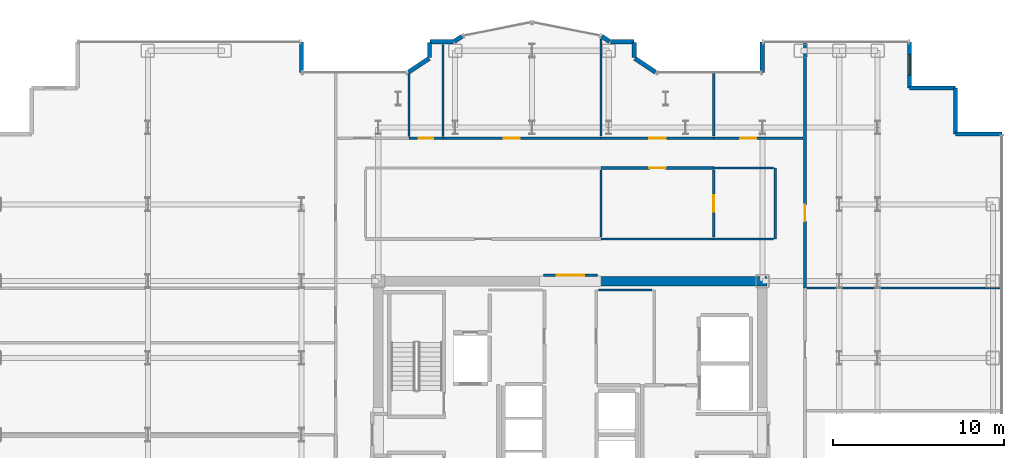
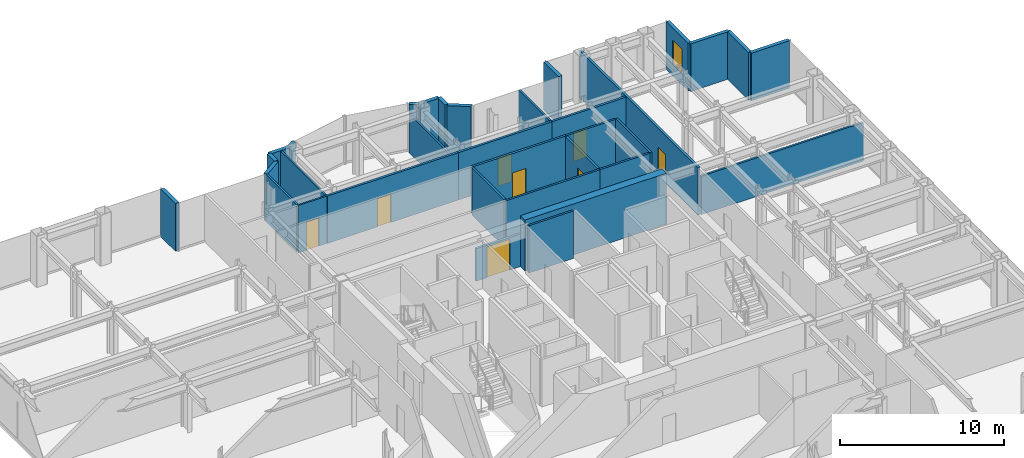
# One storey, part 21 of 23: 34 walls, 8 doors, 1 window, 9 openings.
"""IFC4 building model written with IfcOpenShell, lengths in metres."""

from ifc_helpers import new_model, si_unit, direction, frame, frame_2d, origin, place, context, subcontext, project, spatial, rectangle, extrude, source, transform, mapped, material, layer, layer_set, type_object, element, fill, save


model = new_model("IFC4")

# Units and contexts
model_context = context("Model", 3, precision=1e-05, world=origin(), true_north=direction((0.0, 1.0)))
body_context = subcontext(model_context, "Body", "Model", "MODEL_VIEW")
ifc_project = project(units=[si_unit("LENGTHUNIT", "METRE"), si_unit("AREAUNIT", "SQUARE_METRE"), si_unit("VOLUMEUNIT", "CUBIC_METRE"), si_unit("PLANEANGLEUNIT", "RADIAN"), si_unit("MASSUNIT", "GRAM", prefix="KILO")], contexts=[model_context])

# Site, building, storey
site_placement = place(None, origin())
site = spatial("IfcSite", under=ifc_project, at=site_placement, CompositionType="ELEMENT")
building_placement = place(site_placement, origin())
building = spatial("IfcBuilding", under=site, at=building_placement, Name="Nefas-Gora Pilgrimage Tower", CompositionType="ELEMENT")
storey_placement = place(building_placement, frame((0.0, 0.0, 190.60009765625)))
storey = spatial("IfcBuildingStorey", under=building, at=storey_placement, Name="L47", CompositionType="ELEMENT", Elevation=190.60009765625)

# Walls
ifc_material_1 = material(Name="Concrete C60/75", Category="concrete")
ifc_layer_1 = layer(ifc_material_1, 0.550048828125)
ifc_layer_set_1 = layer_set([ifc_layer_1], Name="Concrete C60/75")
wall_type_1 = type_object("IfcWallType", Name="SW-CORE-550", PredefinedType="SHEAR", material=ifc_layer_set_1)
shared_shape_1 = source(origin(), body_context, "Body", "SweptSolid", [
    extrude(rectangle(XDim=9.974853515625, YDim=0.550048828125, at=frame_2d((4.9873046875, 0.0))), origin(), (0.0, 0.0, 1.0), 3.7998046875),
])
wall_1_placement = place(storey_placement, frame((1.550048828125, 9.0, 0.0), z_axis=(0.0, 0.0, 1.0), x_axis=(1.0, 0.0, 0.0)))
element("IfcWall", 1, at=wall_1_placement, inside=storey, type_object=wall_type_1, Name="L47 Core Shear Wall N-East", PredefinedType="SHEAR", context=body_context, shape_type="MappedRepresentation", body=[
    mapped(shared_shape_1, transform((0.0, 0.0, 0.0), x_axis=(1.0, 0.0, 0.0), y_axis=(0.0, 1.0, 0.0), z_axis=(0.0, 0.0, 1.0), scale=1.0)),
])
ifc_material_2 = material(Name="Precast concrete C40/50", Category="concrete")
ifc_layer_2 = layer(ifc_material_2, 0.260009765625)
ifc_layer_set_2 = layer_set([ifc_layer_2], Name="Precast concrete C40/50")
wall_type_2 = type_object("IfcWallType", Name="EW-PORTAL-260", PredefinedType="SOLIDWALL", material=ifc_layer_set_2)
shared_shape_2 = source(origin(), body_context, "Body", "SweptSolid", [
    extrude(rectangle(XDim=1.800048828125, YDim=0.260009765625, at=frame_2d((0.89990234375, 0.0))), origin(), (0.0, 0.0, 1.0), 3.5498046875),
])
for number, where, z_axis, x_axis, name in (
    (2, (11.25, 23.02001953125, 0.0), (0.0, 0.0, 1.0), (0.0, -1.0, 0.0), "L47 Lobe Shoulder Precast Spandrel Pier 10"),
    (3, (-15.75, 21.219970703125, 0.0), (0.0, 0.0, 1.0), (0.0, 1.0, 0.0), "L47 Lobe Shoulder Precast Spandrel Pier 19"),
):
    element("IfcWall", number, at=place(storey_placement, frame(where, z_axis=z_axis, x_axis=x_axis)), inside=storey, type_object=wall_type_2, Name=name, PredefinedType="SOLIDWALL", context=body_context, shape_type="MappedRepresentation", body=[
        mapped(shared_shape_2, transform((0.0, 0.0, 0.0), x_axis=(1.0, 0.0, 0.0), y_axis=(0.0, 1.0, 0.0), z_axis=(0.0, 0.0, 1.0), scale=1.0)),
    ])
ifc_material_3 = material(Name="Precast concrete C45/55", Category="concrete")
ifc_layer_3 = layer(ifc_material_3, 0.239990234375)
ifc_layer_set_3 = layer_set([ifc_layer_3], Name="Precast concrete C45/55")
wall_type_3 = type_object("IfcWallType", Name="EW-SERR-240", PredefinedType="SHEAR", material=ifc_layer_set_3)
shared_shape_3 = source(origin(), body_context, "Body", "SweptSolid", [
    extrude(rectangle(XDim=2.699951171875, YDim=0.239990234375, at=frame_2d((1.35009765625, 0.0))), origin(), (0.0, 0.0, 1.0), 3.5498046875),
])
for number, where, z_axis, x_axis, name in (
    (4, (25.27001953125, 17.6201171875, 0.0), (0.0, 0.0, 1.0), (-1.0, 0.0, 0.0), "L47 Serrated Corner Shear Pier Wall 6"),
    (5, (22.570068359375, 17.6201171875, 0.0), (0.0, 0.0, 1.0), (0.0, 1.0, 0.0), "L47 Serrated Corner Shear Pier Wall 7"),
    (6, (22.570068359375, 20.320068359375, 0.0), (0.0, 0.0, 1.0), (-1.0, 0.0, 0.0), "L47 Serrated Corner Shear Pier Wall 8"),
):
    element("IfcWall", number, at=place(storey_placement, frame(where, z_axis=z_axis, x_axis=x_axis)), inside=storey, type_object=wall_type_3, Name=name, PredefinedType="SHEAR", context=body_context, shape_type="MappedRepresentation", body=[
        mapped(shared_shape_3, transform((0.0, 0.0, 0.0), x_axis=(1.0, 0.0, 0.0), y_axis=(0.0, 1.0, 0.0), z_axis=(0.0, 0.0, 1.0), scale=1.0)),
    ])

# Wall, opening, window
wall_2_placement = place(storey_placement, frame((19.8701171875, 20.320068359375, 0.0), z_axis=(0.0, 0.0, 1.0), x_axis=(0.0, 1.0, 0.0)))
wall_2 = element("IfcWall", 7, at=wall_2_placement, inside=storey, type_object=wall_type_3, Name="L47 Serrated Corner Shear Pier Wall 9", PredefinedType="SHEAR", context=body_context, shape_type="MappedRepresentation", body=[
    mapped(shared_shape_3, transform((0.0, 0.0, 0.0), x_axis=(1.0, 0.0, 0.0), y_axis=(0.0, 1.0, 0.0), z_axis=(0.0, 0.0, 1.0), scale=1.0)),
])
opening_1_placement = place(wall_2_placement, frame((0.75, 0.0, 0.85009765625)))
opening_1 = element("IfcOpeningElement", 8, at=opening_1_placement, cuts=wall_2, Name="Opening W-V1", PredefinedType="OPENING", context=body_context, shape_type="SweptSolid", body=[
    extrude(rectangle(XDim=1.199951171875, YDim=1.800048828125, at=frame_2d((0.60009765625, 0.89990234375))), frame((0.0, 0.1298828125, 0.0), z_axis=(0.0, -1.0, 0.0), x_axis=(1.0, 0.0, 0.0)), (0.0, 0.0, 1.0), 0.260009765625),
])
ifc_material_4 = material(Name="Dark ceramic-fritted operable aluminium-glass window", Category="aluminium")
window_type = type_object("IfcWindowType", Name="WIN-VENT-1200x1800", PartitioningType="SINGLE_PANEL", PredefinedType="WINDOW", material=ifc_material_4)
shared_shape_4 = source(origin(), body_context, "Body", "SweptSolid", [
    extrude(rectangle(XDim=1.199951171875, YDim=1.800048828125, at=frame_2d((0.60009765625, 0.89990234375))), frame((0.0, 0.030029296875, 0.0), z_axis=(0.0, -1.0, 0.0), x_axis=(1.0, 0.0, 0.0)), (0.0, 0.0, 1.0), 0.06005859375),
])
window_placement = place(opening_1_placement, origin())
window = element("IfcWindow", 9, at=window_placement, inside=storey, type_object=window_type, Name="L47 Operable Parallel-Outswing Window 9", OverallHeight=1.800048828125, OverallWidth=1.199951171875, PartitioningType="SINGLE_PANEL", PredefinedType="WINDOW", context=body_context, shape_type="MappedRepresentation", body=[
    mapped(shared_shape_4, transform((0.0, 0.0, 0.0), x_axis=(1.0, 0.0, 0.0), y_axis=(0.0, 1.0, 0.0), z_axis=(0.0, 0.0, 1.0), scale=1.0)),
])
fill(opening_1, window)

# Walls
shared_shape_5 = source(origin(), body_context, "Body", "SweptSolid", [
    extrude(rectangle(XDim=1.468994140625, YDim=0.260009765625, at=frame_2d((0.734375, 0.0))), origin(), (0.0, 0.0, 1.0), 3.5498046875),
])
for number, where, z_axis, x_axis, name in (
    (10, (4.99462890625, 21.235595703125, 0.0), (0.0, 0.0, 1.0), (-0.831461760506, 0.555581983884, 0.0), "L47 Lobe Shoulder Precast Spandrel Pier 11"),
    (11, (-8.273193359375, 22.0517578125, 0.0), (0.0, 0.0, 1.0), (-0.831461760506, -0.555581983884, 0.0), "L47 Lobe Shoulder Precast Spandrel Pier 18"),
):
    element("IfcWall", number, at=place(storey_placement, frame(where, z_axis=z_axis, x_axis=x_axis)), inside=storey, type_object=wall_type_2, Name=name, PredefinedType="SOLIDWALL", context=body_context, shape_type="MappedRepresentation", body=[
        mapped(shared_shape_5, transform((0.0, 0.0, 0.0), x_axis=(1.0, 0.0, 0.0), y_axis=(0.0, 1.0, 0.0), z_axis=(0.0, 0.0, 1.0), scale=1.0)),
    ])
shared_shape_6 = source(origin(), body_context, "Body", "SweptSolid", [
    extrude(rectangle(XDim=0.896728515625, YDim=0.260009765625, at=frame_2d((0.4482421875, 0.0))), origin(), (0.0, 0.0, 1.0), 3.5498046875),
])
for number, where, z_axis, x_axis, name in (
    (12, (3.75, 22.09521484375, 0.0), (0.0, 0.0, 1.0), (0.0, 1.0, 0.0), "L47 Lobe Shoulder Precast Spandrel Pier 12"),
    (13, (-8.25, 22.991943359375, 0.0), (0.0, 0.0, 1.0), (0.0, -1.0, 0.0), "L47 Lobe Shoulder Precast Spandrel Pier 17"),
):
    element("IfcWall", number, at=place(storey_placement, frame(where, z_axis=z_axis, x_axis=x_axis)), inside=storey, type_object=wall_type_2, Name=name, PredefinedType="SOLIDWALL", context=body_context, shape_type="MappedRepresentation", body=[
        mapped(shared_shape_6, transform((0.0, 0.0, 0.0), x_axis=(1.0, 0.0, 0.0), y_axis=(0.0, 1.0, 0.0), z_axis=(0.0, 0.0, 1.0), scale=1.0)),
    ])
shared_shape_7 = source(origin(), body_context, "Body", "SweptSolid", [
    extrude(rectangle(XDim=1.369873046875, YDim=0.260009765625, at=frame_2d((0.68505859375, 0.0))), origin(), (0.0, 0.0, 1.0), 3.5498046875),
])
for number, where, z_axis, x_axis, name in (
    (14, (3.721923828125, 23.02001953125, 0.0), (0.0, 0.0, 1.0), (-1.0, 0.0, 0.0), "L47 Lobe Shoulder Precast Spandrel Pier 13"),
    (15, (-6.85205078125, 23.02001953125, 0.0), (0.0, 0.0, 1.0), (-1.0, 0.0, 0.0), "L47 Lobe Shoulder Precast Spandrel Pier 16"),
):
    element("IfcWall", number, at=place(storey_placement, frame(where, z_axis=z_axis, x_axis=x_axis)), inside=storey, type_object=wall_type_2, Name=name, PredefinedType="SOLIDWALL", context=body_context, shape_type="MappedRepresentation", body=[
        mapped(shared_shape_7, transform((0.0, 0.0, 0.0), x_axis=(1.0, 0.0, 0.0), y_axis=(0.0, 1.0, 0.0), z_axis=(0.0, 0.0, 1.0), scale=1.0)),
    ])
shared_shape_8 = source(origin(), body_context, "Body", "SweptSolid", [
    extrude(rectangle(XDim=0.5654296875, YDim=0.260009765625, at=frame_2d((0.28271484375, 0.0))), origin(), (0.0, 0.0, 1.0), 3.5498046875),
])
for number, where, z_axis, x_axis, name in (
    (16, (2.30078125, 23.03564453125, 0.0), (0.0, 0.0, 1.0), (-0.831651492666, 0.555297933317, 0.0), "L47 Lobe Shoulder Precast Spandrel Pier 14"),
    (17, (-6.33056640625, 23.349609375, 0.0), (0.0, 0.0, 1.0), (-0.831651492666, -0.555297933317, 0.0), "L47 Lobe Shoulder Precast Spandrel Pier 15"),
):
    element("IfcWall", number, at=place(storey_placement, frame(where, z_axis=z_axis, x_axis=x_axis)), inside=storey, type_object=wall_type_2, Name=name, PredefinedType="SOLIDWALL", context=body_context, shape_type="MappedRepresentation", body=[
        mapped(shared_shape_8, transform((0.0, 0.0, 0.0), x_axis=(1.0, 0.0, 0.0), y_axis=(0.0, 1.0, 0.0), z_axis=(0.0, 0.0, 1.0), scale=1.0)),
    ])

# Wall, opening, door
ifc_material_5 = material(Name="Moisture-resistant fire-rated gypsum partition")
ifc_layer_4 = layer(ifc_material_5, 0.1201171875)
ifc_layer_set_4 = layer_set([ifc_layer_4], Name="Moisture-resistant fire-rated gypsum partition")
wall_type_4 = type_object("IfcWallType", Name="IW-WET-120", PredefinedType="PLUMBINGWALL", material=ifc_layer_set_4)
shared_shape_9 = source(origin(), body_context, "Body", "SweptSolid", [
    extrude(rectangle(XDim=2.02001953125, YDim=0.1201171875, at=frame_2d((1.010009765625, 0.0))), origin(), (0.0, 0.0, 1.0), 3.534912109375),
])
wall_3_placement = place(storey_placement, frame((-9.4599609375, 17.3701171875, 0.0), z_axis=(0.0, 0.0, 1.0), x_axis=(1.0, 0.0, 0.0)))
wall_3 = element("IfcWall", 18, at=wall_3_placement, inside=storey, type_object=wall_type_4, Name="L47 Accessible Unisex WC Partition Wall 25", PredefinedType="PLUMBINGWALL", context=body_context, shape_type="MappedRepresentation", body=[
    mapped(shared_shape_9, transform((0.0, 0.0, 0.0), x_axis=(1.0, 0.0, 0.0), y_axis=(0.0, 1.0, 0.0), z_axis=(0.0, 0.0, 1.0), scale=1.0)),
])
opening_2_placement = place(wall_3_placement, frame((0.5849609375, 0.0, 0.0)))
opening_2 = element("IfcOpeningElement", 19, at=opening_2_placement, cuts=wall_3, Name="Opening ID-BT1", PredefinedType="OPENING", context=body_context, shape_type="SweptSolid", body=[
    extrude(rectangle(XDim=0.85009765625, YDim=2.10009765625, at=frame_2d((0.425048828125, 1.050048828125))), frame((0.0, 0.070068359375, 0.0), z_axis=(0.0, -1.0, 0.0), x_axis=(1.0, 0.0, 0.0)), (0.0, 0.0, 1.0), 0.14013671875),
])
ifc_material_6 = material(Name="Moisture-resistant fire-rated timber door", Category="wood")
door_type_1 = type_object("IfcDoorType", Name="DR-INT-BATH-850", OperationType="NOTDEFINED", PredefinedType="DOOR", material=ifc_material_6)
shared_shape_10 = source(origin(), body_context, "Body", "SweptSolid", [
    extrude(rectangle(XDim=0.85009765625, YDim=2.10009765625, at=frame_2d((0.425048828125, 1.050048828125))), frame((0.0, 0.02490234375, 0.0), z_axis=(0.0, -1.0, 0.0), x_axis=(1.0, 0.0, 0.0)), (0.0, 0.0, 1.0), 0.050048828125),
])
door_1_placement = place(opening_2_placement, origin())
door_1 = element("IfcDoor", 20, at=door_1_placement, inside=storey, type_object=door_type_1, Name="L47 Accessible Unisex WC Door 10", OperationType="SINGLE_SWING_LEFT", OverallHeight=2.10009765625, OverallWidth=0.85009765625, PredefinedType="DOOR", context=body_context, shape_type="MappedRepresentation", body=[
    mapped(shared_shape_10, transform((0.0, 0.0, 0.0), x_axis=(1.0, 0.0, 0.0), y_axis=(0.0, 1.0, 0.0), z_axis=(0.0, 0.0, 1.0), scale=1.0)),
])
fill(opening_2, door_1)

ifc_material_7 = material(Name="Gypsum acoustic stud partition")
ifc_layer_5 = layer(ifc_material_7, 0.159912109375)
ifc_layer_set_5 = layer_set([ifc_layer_5], Name="Gypsum acoustic stud partition")
wall_type_5 = type_object("IfcWallType", Name="IW-CORR-160", PredefinedType="PARTITIONING", material=ifc_layer_set_5)
shared_shape_11 = source(origin(), body_context, "Body", "SweptSolid", [
    extrude(rectangle(XDim=5.22509765625, YDim=0.159912109375, at=frame_2d((2.612548828125, 0.0))), origin(), (0.0, 0.0, 1.0), 3.534912109375),
])
wall_4_placement = place(storey_placement, frame((8.39501953125, 17.3701171875, 0.0), z_axis=(0.0, 0.0, 1.0), x_axis=(1.0, 0.0, 0.0)))
wall_4 = element("IfcWall", 21, at=wall_4_placement, inside=storey, type_object=wall_type_5, Name="L47 Pilgrim Contemplative Lounge Partition Wall 60", PredefinedType="PARTITIONING", context=body_context, shape_type="MappedRepresentation", body=[
    mapped(shared_shape_11, transform((0.0, 0.0, 0.0), x_axis=(1.0, 0.0, 0.0), y_axis=(0.0, 1.0, 0.0), z_axis=(0.0, 0.0, 1.0), scale=1.0)),
])
opening_3_placement = place(wall_4_placement, frame((1.543212890625, 0.0, 0.0)))
opening_3 = element("IfcOpeningElement", 22, at=opening_3_placement, cuts=wall_4, Name="Opening ID-GR1", PredefinedType="OPENING", context=body_context, shape_type="SweptSolid", body=[
    extrude(rectangle(XDim=0.949951171875, YDim=2.10009765625, at=frame_2d((0.47509765625, 1.050048828125))), frame((0.0, 0.08984375, 0.0), z_axis=(0.0, -1.0, 0.0), x_axis=(1.0, 0.0, 0.0)), (0.0, 0.0, 1.0), 0.179931640625),
])
ifc_material_8 = material(Name="Solid core oak fire-rated guest entrance door")
door_type_2 = type_object("IfcDoorType", Name="DR-INT-GUEST-950", OperationType="NOTDEFINED", PredefinedType="DOOR", material=ifc_material_8)
shared_shape_12 = source(origin(), body_context, "Body", "SweptSolid", [
    extrude(rectangle(XDim=0.949951171875, YDim=2.10009765625, at=frame_2d((0.47509765625, 1.050048828125))), frame((0.0, 0.02490234375, 0.0), z_axis=(0.0, -1.0, 0.0), x_axis=(1.0, 0.0, 0.0)), (0.0, 0.0, 1.0), 0.050048828125),
])
door_2_placement = place(opening_3_placement, origin())
door_2 = element("IfcDoor", 23, at=door_2_placement, inside=storey, type_object=door_type_2, Name="L47 Pilgrim Contemplative Lounge Door 28", OperationType="SINGLE_SWING_LEFT", OverallHeight=2.10009765625, OverallWidth=0.949951171875, PredefinedType="DOOR", context=body_context, shape_type="MappedRepresentation", body=[
    mapped(shared_shape_12, transform((0.0, 0.0, 0.0), x_axis=(1.0, 0.0, 0.0), y_axis=(0.0, 1.0, 0.0), z_axis=(0.0, 0.0, 1.0), scale=1.0)),
])
fill(opening_3, door_2)

# Wall
ifc_material_9 = material(Name="Gypsum twin-stud partition")
ifc_layer_6 = layer(ifc_material_9, 0.139892578125)
ifc_layer_set_6 = layer_set([ifc_layer_6], Name="Gypsum twin-stud partition")
wall_type_6 = type_object("IfcWallType", Name="IW-UNIT-140", PredefinedType="PARTITIONING", material=ifc_layer_set_6)
shared_shape_13 = source(origin(), body_context, "Body", "SweptSolid", [
    extrude(rectangle(XDim=3.150146484375, YDim=0.139892578125, at=frame_2d((1.5751953125, 0.0))), origin(), (0.0, 0.0, 1.0), 3.534912109375),
])
wall_5_placement = place(storey_placement, frame((1.639892578125, 8.47998046875, 0.0), z_axis=(0.0, 0.0, 1.0), x_axis=(1.0, 0.0, 0.0)))
element("IfcWall", 24, at=wall_5_placement, inside=storey, type_object=wall_type_6, Name="L47 Freed Bank-1 Amenity Supply Store Partition Wall 24", PredefinedType="PARTITIONING", context=body_context, shape_type="MappedRepresentation", body=[
    mapped(shared_shape_13, transform((0.0, 0.0, 0.0), x_axis=(1.0, 0.0, 0.0), y_axis=(0.0, 1.0, 0.0), z_axis=(0.0, 0.0, 1.0), scale=1.0)),
])

# Wall, opening, door
shared_shape_14 = source(origin(), body_context, "Body", "SweptSolid", [
    extrude(rectangle(XDim=14.45263671875, YDim=0.159912109375, at=frame_2d((7.226318359375, 0.0))), origin(), (0.0, 0.0, 1.0), 3.534912109375),
])
wall_6_placement = place(storey_placement, frame((13.739990234375, 8.58740234375, 0.0), z_axis=(0.0, 0.0, 1.0), x_axis=(0.0, 1.0, 0.0)))
wall_6 = element("IfcWall", 25, at=wall_6_placement, inside=storey, type_object=wall_type_5, Name="L47 Pilgrim Contemplative Lounge Partition Wall 43", PredefinedType="PARTITIONING", context=body_context, shape_type="MappedRepresentation", body=[
    mapped(shared_shape_14, transform((0.0, 0.0, 0.0), x_axis=(1.0, 0.0, 0.0), y_axis=(0.0, 1.0, 0.0), z_axis=(0.0, 0.0, 1.0), scale=1.0)),
])
opening_4_placement = place(wall_6_placement, frame((3.936279296875, 0.0, 0.0)))
opening_4 = element("IfcOpeningElement", 26, at=opening_4_placement, cuts=wall_6, Name="Opening ID-GR1", PredefinedType="OPENING", context=body_context, shape_type="SweptSolid", body=[
    extrude(rectangle(XDim=0.949951171875, YDim=2.10009765625, at=frame_2d((0.47509765625, 1.050048828125))), frame((0.0, 0.08984375, 0.0), z_axis=(0.0, -1.0, 0.0), x_axis=(1.0, 0.0, 0.0)), (0.0, 0.0, 1.0), 0.179931640625),
])
door_3_placement = place(opening_4_placement, origin())
door_3 = element("IfcDoor", 27, at=door_3_placement, inside=storey, type_object=door_type_2, Name="L47 Pilgrim Contemplative Lounge Door 19", OperationType="SINGLE_SWING_RIGHT", OverallHeight=2.10009765625, OverallWidth=0.949951171875, PredefinedType="DOOR", context=body_context, shape_type="MappedRepresentation", body=[
    mapped(shared_shape_12, transform((0.0, 0.0, 0.0), x_axis=(1.0, 0.0, 0.0), y_axis=(0.0, 1.0, 0.0), z_axis=(0.0, 0.0, 1.0), scale=1.0)),
])
fill(opening_4, door_3)

shared_shape_15 = source(origin(), body_context, "Body", "SweptSolid", [
    extrude(rectangle(XDim=6.610107421875, YDim=0.159912109375, at=frame_2d((3.30517578125, 0.0))), origin(), (0.0, 0.0, 1.0), 3.534912109375),
])
wall_7_placement = place(storey_placement, frame((1.794921875, 17.3701171875, 0.0), z_axis=(0.0, 0.0, 1.0), x_axis=(1.0, 0.0, 0.0)))
wall_7 = element("IfcWall", 28, at=wall_7_placement, inside=storey, type_object=wall_type_5, Name="L47 Pilgrim Contemplative Lounge Partition Wall 55", PredefinedType="PARTITIONING", context=body_context, shape_type="MappedRepresentation", body=[
    mapped(shared_shape_15, transform((0.0, 0.0, 0.0), x_axis=(1.0, 0.0, 0.0), y_axis=(0.0, 1.0, 0.0), z_axis=(0.0, 0.0, 1.0), scale=1.0)),
])
opening_5_placement = place(wall_7_placement, frame((2.830078125, 0.0, 0.0)))
opening_5 = element("IfcOpeningElement", 29, at=opening_5_placement, cuts=wall_7, Name="Opening ID-GR1", PredefinedType="OPENING", context=body_context, shape_type="SweptSolid", body=[
    extrude(rectangle(XDim=0.949951171875, YDim=2.10009765625, at=frame_2d((0.47509765625, 1.050048828125))), frame((0.0, 0.08984375, 0.0), z_axis=(0.0, -1.0, 0.0), x_axis=(1.0, 0.0, 0.0)), (0.0, 0.0, 1.0), 0.179931640625),
])
door_4_placement = place(opening_5_placement, origin())
door_4 = element("IfcDoor", 30, at=door_4_placement, inside=storey, type_object=door_type_2, Name="L47 Pilgrim Contemplative Lounge Door 25", OperationType="SINGLE_SWING_RIGHT", OverallHeight=2.10009765625, OverallWidth=0.949951171875, PredefinedType="DOOR", context=body_context, shape_type="MappedRepresentation", body=[
    mapped(shared_shape_12, transform((0.0, 0.0, 0.0), x_axis=(1.0, 0.0, 0.0), y_axis=(0.0, 1.0, 0.0), z_axis=(0.0, 0.0, 1.0), scale=1.0)),
])
fill(opening_5, door_4)

wall_8_placement = place(storey_placement, frame((1.794921875, 15.6298828125, 0.0), z_axis=(0.0, 0.0, 1.0), x_axis=(1.0, 0.0, 0.0)))
wall_8 = element("IfcWall", 31, at=wall_8_placement, inside=storey, type_object=wall_type_5, Name="L47 Pastoral Chaplains Counselling Office Partition Wall 57", PredefinedType="PARTITIONING", context=body_context, shape_type="MappedRepresentation", body=[
    mapped(shared_shape_15, transform((0.0, 0.0, 0.0), x_axis=(1.0, 0.0, 0.0), y_axis=(0.0, 1.0, 0.0), z_axis=(0.0, 0.0, 1.0), scale=1.0)),
])
opening_6_placement = place(wall_8_placement, frame((2.830078125, 0.0, 0.0)))
opening_6 = element("IfcOpeningElement", 32, at=opening_6_placement, cuts=wall_8, Name="Opening ID-GR1", PredefinedType="OPENING", context=body_context, shape_type="SweptSolid", body=[
    extrude(rectangle(XDim=0.949951171875, YDim=2.10009765625, at=frame_2d((0.47509765625, 1.050048828125))), frame((0.0, 0.08984375, 0.0), z_axis=(0.0, -1.0, 0.0), x_axis=(1.0, 0.0, 0.0)), (0.0, 0.0, 1.0), 0.179931640625),
])
door_5_placement = place(opening_6_placement, origin())
door_5 = element("IfcDoor", 33, at=door_5_placement, inside=storey, type_object=door_type_2, Name="L47 Pastoral Chaplains Counselling Office Door 26", OperationType="SINGLE_SWING_LEFT", OverallHeight=2.10009765625, OverallWidth=0.949951171875, PredefinedType="DOOR", context=body_context, shape_type="MappedRepresentation", body=[
    mapped(shared_shape_12, transform((0.0, 0.0, 0.0), x_axis=(1.0, 0.0, 0.0), y_axis=(0.0, 1.0, 0.0), z_axis=(0.0, 0.0, 1.0), scale=1.0)),
])
fill(opening_6, door_5)

shared_shape_16 = source(origin(), body_context, "Body", "SweptSolid", [
    extrude(rectangle(XDim=3.16015625, YDim=0.159912109375, at=frame_2d((1.580078125, 0.0))), origin(), (0.0, 0.0, 1.0), 2.4248046875),
])
wall_9_placement = place(storey_placement, frame((-1.580078125, 9.35009765625, 0.0), z_axis=(0.0, 0.0, 1.0), x_axis=(1.0, 0.0, 0.0)))
wall_9 = element("IfcWall", 34, at=wall_9_placement, inside=storey, type_object=wall_type_5, Name="L47 Central Lift Lobby North Portal Wall 15", PredefinedType="PARTITIONING", context=body_context, shape_type="MappedRepresentation", body=[
    mapped(shared_shape_16, transform((0.0, 0.0, 0.0), x_axis=(1.0, 0.0, 0.0), y_axis=(0.0, 1.0, 0.0), z_axis=(0.0, 0.0, 1.0), scale=1.0)),
])
opening_7_placement = place(wall_9_placement, frame((0.780029296875, 0.0, 0.0)))
opening_7 = element("IfcOpeningElement", 35, at=opening_7_placement, cuts=wall_9, Name="Opening ID-HL1", PredefinedType="OPENING", context=body_context, shape_type="SweptSolid", body=[
    extrude(rectangle(XDim=1.60009765625, YDim=2.300048828125, at=frame_2d((0.800048828125, 1.14990234375))), frame((0.0, 0.08984375, 0.0), z_axis=(0.0, -1.0, 0.0), x_axis=(1.0, 0.0, 0.0)), (0.0, 0.0, 1.0), 0.179931640625),
])
ifc_material_10 = material(Name="Double acoustic timber assembly hall door", Category="wood")
door_type_3 = type_object("IfcDoorType", Name="DR-INT-HALL-1600", OperationType="DOUBLE_DOOR_SINGLE_SWING", PredefinedType="DOOR", material=ifc_material_10)
shared_shape_17 = source(origin(), body_context, "Body", "SweptSolid", [
    extrude(rectangle(XDim=1.60009765625, YDim=2.300048828125, at=frame_2d((0.800048828125, 1.14990234375))), frame((0.0, 0.02490234375, 0.0), z_axis=(0.0, -1.0, 0.0), x_axis=(1.0, 0.0, 0.0)), (0.0, 0.0, 1.0), 0.050048828125),
])
door_6_placement = place(opening_7_placement, origin())
door_6 = element("IfcDoor", 36, at=door_6_placement, inside=storey, type_object=door_type_3, Name="L47 Central Lift Lobby North Portal Door 5", OperationType="DOUBLE_DOOR_SINGLE_SWING", OverallHeight=2.300048828125, OverallWidth=1.60009765625, PredefinedType="DOOR", context=body_context, shape_type="MappedRepresentation", body=[
    mapped(shared_shape_17, transform((0.0, 0.0, 0.0), x_axis=(1.0, 0.0, 0.0), y_axis=(0.0, 1.0, 0.0), z_axis=(0.0, 0.0, 1.0), scale=1.0)),
])
fill(opening_7, door_6)

# Walls
shared_shape_18 = source(origin(), body_context, "Body", "SweptSolid", [
    extrude(rectangle(XDim=5.380126953125, YDim=0.1201171875, at=frame_2d((2.68994140625, 0.0))), origin(), (0.0, 0.0, 1.0), 3.534912109375),
])
wall_10_placement = place(storey_placement, frame((-7.449951171875, 17.469970703125, 0.0), z_axis=(0.0, 0.0, 1.0), x_axis=(0.0, 1.0, 0.0)))
element("IfcWall", 37, at=wall_10_placement, inside=storey, type_object=wall_type_4, Name="L47 Accessible Unisex WC Partition Wall 26", PredefinedType="PLUMBINGWALL", context=body_context, shape_type="MappedRepresentation", body=[
    mapped(shared_shape_18, transform((0.0, 0.0, 0.0), x_axis=(1.0, 0.0, 0.0), y_axis=(0.0, 1.0, 0.0), z_axis=(0.0, 0.0, 1.0), scale=1.0)),
])
shared_shape_19 = source(origin(), body_context, "Body", "SweptSolid", [
    extrude(rectangle(XDim=3.686767578125, YDim=0.1201171875, at=frame_2d((1.84326171875, 0.0))), origin(), (0.0, 0.0, 1.0), 3.534912109375),
])
wall_11_placement = place(storey_placement, frame((-9.449951171875, 17.469970703125, 0.0), z_axis=(0.0, 0.0, 1.0), x_axis=(0.0, 1.0, 0.0)))
element("IfcWall", 38, at=wall_11_placement, inside=storey, type_object=wall_type_4, Name="L47 Accessible Unisex WC Partition Wall 27", PredefinedType="PLUMBINGWALL", context=body_context, shape_type="MappedRepresentation", body=[
    mapped(shared_shape_19, transform((0.0, 0.0, 0.0), x_axis=(1.0, 0.0, 0.0), y_axis=(0.0, 1.0, 0.0), z_axis=(0.0, 0.0, 1.0), scale=1.0)),
])
shared_shape_20 = source(origin(), body_context, "Body", "SweptSolid", [
    extrude(rectangle(XDim=3.929931640625, YDim=0.139892578125, at=frame_2d((1.96484375, 0.0))), origin(), (0.0, 0.0, 1.0), 3.534912109375),
])
wall_12_placement = place(storey_placement, frame((1.794921875, 11.590087890625, 0.0), z_axis=(0.0, 0.0, 1.0), x_axis=(0.0, 1.0, 0.0)))
element("IfcWall", 39, at=wall_12_placement, inside=storey, type_object=wall_type_6, Name="L47 Pilgrim Contemplative Lounge Partition Wall 51", PredefinedType="PARTITIONING", context=body_context, shape_type="MappedRepresentation", body=[
    mapped(shared_shape_20, transform((0.0, 0.0, 0.0), x_axis=(1.0, 0.0, 0.0), y_axis=(0.0, 1.0, 0.0), z_axis=(0.0, 0.0, 1.0), scale=1.0)),
])
shared_shape_21 = source(origin(), body_context, "Body", "SweptSolid", [
    extrude(rectangle(XDim=3.75, YDim=0.139892578125, at=frame_2d((1.875, 0.0))), origin(), (0.0, 0.0, 1.0), 3.534912109375),
])
wall_13_placement = place(storey_placement, frame((8.39501953125, 17.489990234375, 0.0), z_axis=(0.0, 0.0, 1.0), x_axis=(0.0, 1.0, 0.0)))
element("IfcWall", 40, at=wall_13_placement, inside=storey, type_object=wall_type_6, Name="L47 Pilgrim Contemplative Lounge Partition Wall 56", PredefinedType="PARTITIONING", context=body_context, shape_type="MappedRepresentation", body=[
    mapped(shared_shape_21, transform((0.0, 0.0, 0.0), x_axis=(1.0, 0.0, 0.0), y_axis=(0.0, 1.0, 0.0), z_axis=(0.0, 0.0, 1.0), scale=1.0)),
])

# Wall, opening, door
shared_shape_22 = source(origin(), body_context, "Body", "SweptSolid", [
    extrude(rectangle(XDim=3.929931640625, YDim=0.159912109375, at=frame_2d((1.96484375, 0.0))), origin(), (0.0, 0.0, 1.0), 3.534912109375),
])
wall_14_placement = place(storey_placement, frame((8.39501953125, 11.580078125, 0.0), z_axis=(0.0, 0.0, 1.0), x_axis=(0.0, 1.0, 0.0)))
wall_14 = element("IfcWall", 41, at=wall_14_placement, inside=storey, type_object=wall_type_5, Name="L47 Pastoral Chaplains Counselling Office Partition Wall 59", PredefinedType="PARTITIONING", context=body_context, shape_type="MappedRepresentation", body=[
    mapped(shared_shape_22, transform((0.0, 0.0, 0.0), x_axis=(1.0, 0.0, 0.0), y_axis=(0.0, 1.0, 0.0), z_axis=(0.0, 0.0, 1.0), scale=1.0)),
])
opening_8_placement = place(wall_14_placement, frame((1.489990234375, 0.0, 0.0)))
opening_8 = element("IfcOpeningElement", 42, at=opening_8_placement, cuts=wall_14, Name="Opening ID-GR1", PredefinedType="OPENING", context=body_context, shape_type="SweptSolid", body=[
    extrude(rectangle(XDim=0.949951171875, YDim=2.10009765625, at=frame_2d((0.47509765625, 1.050048828125))), frame((0.0, 0.08984375, 0.0), z_axis=(0.0, -1.0, 0.0), x_axis=(1.0, 0.0, 0.0)), (0.0, 0.0, 1.0), 0.179931640625),
])
door_7_placement = place(opening_8_placement, origin())
door_7 = element("IfcDoor", 43, at=door_7_placement, inside=storey, type_object=door_type_2, Name="L47 Scripture Reading Study Door 27", OperationType="SINGLE_SWING_RIGHT", OverallHeight=2.10009765625, OverallWidth=0.949951171875, PredefinedType="DOOR", context=body_context, shape_type="MappedRepresentation", body=[
    mapped(shared_shape_12, transform((0.0, 0.0, 0.0), x_axis=(1.0, 0.0, 0.0), y_axis=(0.0, 1.0, 0.0), z_axis=(0.0, 0.0, 1.0), scale=1.0)),
])
fill(opening_8, door_7)

# Walls
shared_shape_23 = source(origin(), body_context, "Body", "SweptSolid", [
    extrude(rectangle(XDim=4.179931640625, YDim=0.139892578125, at=frame_2d((2.08984375, 0.0))), origin(), (0.0, 0.0, 1.0), 3.534912109375),
])
wall_15_placement = place(storey_placement, frame((12.0, 11.4599609375, 0.0), z_axis=(0.0, 0.0, 1.0), x_axis=(0.0, 1.0, 0.0)))
element("IfcWall", 44, at=wall_15_placement, inside=storey, type_object=wall_type_6, Name="L47 Scripture Reading Study Partition Wall 61", PredefinedType="PARTITIONING", context=body_context, shape_type="MappedRepresentation", body=[
    mapped(shared_shape_23, transform((0.0, 0.0, 0.0), x_axis=(1.0, 0.0, 0.0), y_axis=(0.0, 1.0, 0.0), z_axis=(0.0, 0.0, 1.0), scale=1.0)),
])
shared_shape_24 = source(origin(), body_context, "Body", "SweptSolid", [
    extrude(rectangle(XDim=3.494873046875, YDim=0.139892578125, at=frame_2d((1.74755859375, 0.0))), origin(), (0.0, 0.0, 1.0), 3.534912109375),
])
for number, where, z_axis, x_axis, name in (
    (45, (8.39501953125, 15.6298828125, 0.0), (0.0, 0.0, 1.0), (1.0, 0.0, 0.0), "L47 Scripture Reading Study Partition Wall 62"),
    (46, (8.39501953125, 11.469970703125, 0.0), (0.0, 0.0, 1.0), (1.0, 0.0, 0.0), "L47 Scripture Reading Study Partition Wall 63"),
):
    element("IfcWall", number, at=place(storey_placement, frame(where, z_axis=z_axis, x_axis=x_axis)), inside=storey, type_object=wall_type_6, Name=name, PredefinedType="PARTITIONING", context=body_context, shape_type="MappedRepresentation", body=[
        mapped(shared_shape_24, transform((0.0, 0.0, 0.0), x_axis=(1.0, 0.0, 0.0), y_axis=(0.0, 1.0, 0.0), z_axis=(0.0, 0.0, 1.0), scale=1.0)),
    ])
shared_shape_25 = source(origin(), body_context, "Body", "SweptSolid", [
    extrude(rectangle(XDim=11.429931640625, YDim=0.139892578125, at=frame_2d((5.71484375, 0.0))), origin(), (0.0, 0.0, 1.0), 2.875),
])
wall_16_placement = place(storey_placement, frame((13.860107421875, 8.597412109375, 0.0), z_axis=(0.0, 0.0, 1.0), x_axis=(1.0, 0.0, 0.0)))
element("IfcWall", 47, at=wall_16_placement, inside=storey, type_object=wall_type_6, Name="L47 Pilgrim Contemplative Lounge Partition Wall 44", PredefinedType="PARTITIONING", context=body_context, shape_type="MappedRepresentation", body=[
    mapped(shared_shape_25, transform((0.0, 0.0, 0.0), x_axis=(1.0, 0.0, 0.0), y_axis=(0.0, 1.0, 0.0), z_axis=(0.0, 0.0, 1.0), scale=1.0)),
])

# Wall, opening, door
shared_shape_26 = source(origin(), body_context, "Body", "SweptSolid", [
    extrude(rectangle(XDim=9.244873046875, YDim=0.159912109375, at=frame_2d((4.62255859375, 0.0))), origin(), (0.0, 0.0, 1.0), 3.534912109375),
])
wall_17_placement = place(storey_placement, frame((-7.43994140625, 17.3701171875, 0.0), z_axis=(0.0, 0.0, 1.0), x_axis=(1.0, 0.0, 0.0)))
wall_17 = element("IfcWall", 48, at=wall_17_placement, inside=storey, type_object=wall_type_5, Name="L47 Pilgrim Contemplative Lounge Partition Wall 52", PredefinedType="PARTITIONING", context=body_context, shape_type="MappedRepresentation", body=[
    mapped(shared_shape_26, transform((0.0, 0.0, 0.0), x_axis=(1.0, 0.0, 0.0), y_axis=(0.0, 1.0, 0.0), z_axis=(0.0, 0.0, 1.0), scale=1.0)),
])
opening_9_placement = place(wall_17_placement, frame((3.52880859375, 0.0, 0.0)))
opening_9 = element("IfcOpeningElement", 49, at=opening_9_placement, cuts=wall_17, Name="Opening ID-GR1", PredefinedType="OPENING", context=body_context, shape_type="SweptSolid", body=[
    extrude(rectangle(XDim=0.949951171875, YDim=2.10009765625, at=frame_2d((0.47509765625, 1.050048828125))), frame((0.0, 0.08984375, 0.0), z_axis=(0.0, -1.0, 0.0), x_axis=(1.0, 0.0, 0.0)), (0.0, 0.0, 1.0), 0.179931640625),
])
door_8_placement = place(opening_9_placement, origin())
door_8 = element("IfcDoor", 50, at=door_8_placement, inside=storey, type_object=door_type_2, Name="L47 Pilgrim Contemplative Lounge Door 23", OperationType="SINGLE_SWING_RIGHT", OverallHeight=2.10009765625, OverallWidth=0.949951171875, PredefinedType="DOOR", context=body_context, shape_type="MappedRepresentation", body=[
    mapped(shared_shape_12, transform((0.0, 0.0, 0.0), x_axis=(1.0, 0.0, 0.0), y_axis=(0.0, 1.0, 0.0), z_axis=(0.0, 0.0, 1.0), scale=1.0)),
])
fill(opening_9, door_8)

# Walls
shared_shape_27 = source(origin(), body_context, "Body", "SweptSolid", [
    extrude(rectangle(XDim=5.681396484375, YDim=0.139892578125, at=frame_2d((2.8408203125, 0.0))), origin(), (0.0, 0.0, 1.0), 2.875),
])
wall_18_placement = place(storey_placement, frame((1.794921875, 17.489990234375, 0.0), z_axis=(0.0, 0.0, 1.0), x_axis=(0.0, 1.0, 0.0)))
element("IfcWall", 51, at=wall_18_placement, inside=storey, type_object=wall_type_6, Name="L47 Pilgrim Contemplative Lounge Partition Wall 53", PredefinedType="PARTITIONING", context=body_context, shape_type="MappedRepresentation", body=[
    mapped(shared_shape_27, transform((0.0, 0.0, 0.0), x_axis=(1.0, 0.0, 0.0), y_axis=(0.0, 1.0, 0.0), z_axis=(0.0, 0.0, 1.0), scale=1.0)),
])
shared_shape_28 = source(origin(), body_context, "Body", "SweptSolid", [
    extrude(rectangle(XDim=6.610107421875, YDim=0.139892578125, at=frame_2d((3.30517578125, 0.0))), origin(), (0.0, 0.0, 1.0), 3.534912109375),
])
wall_19_placement = place(storey_placement, frame((1.794921875, 11.469970703125, 0.0), z_axis=(0.0, 0.0, 1.0), x_axis=(1.0, 0.0, 0.0)))
element("IfcWall", 52, at=wall_19_placement, inside=storey, type_object=wall_type_6, Name="L47 Pastoral Chaplains Counselling Office Partition Wall 58", PredefinedType="PARTITIONING", context=body_context, shape_type="MappedRepresentation", body=[
    mapped(shared_shape_28, transform((0.0, 0.0, 0.0), x_axis=(1.0, 0.0, 0.0), y_axis=(0.0, 1.0, 0.0), z_axis=(0.0, 0.0, 1.0), scale=1.0)),
])

save(model, "model.ifc")
